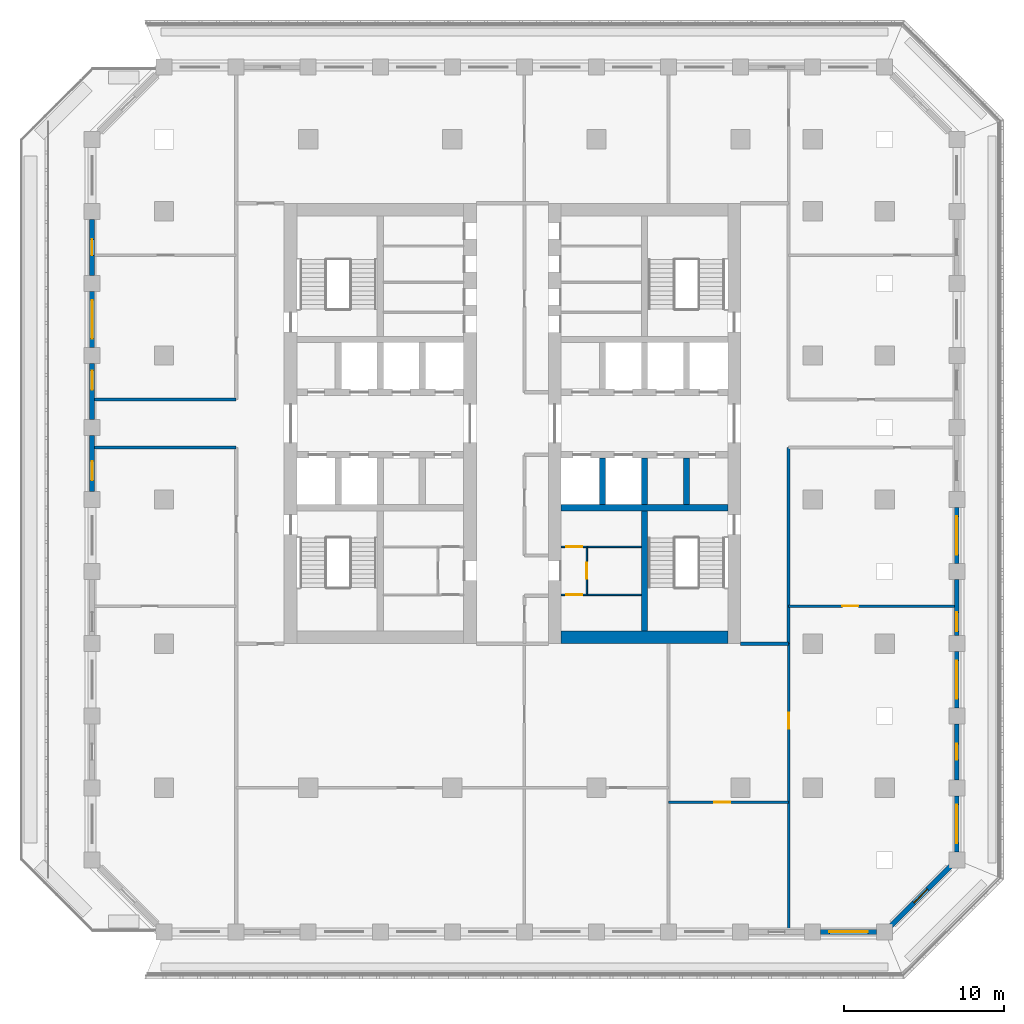
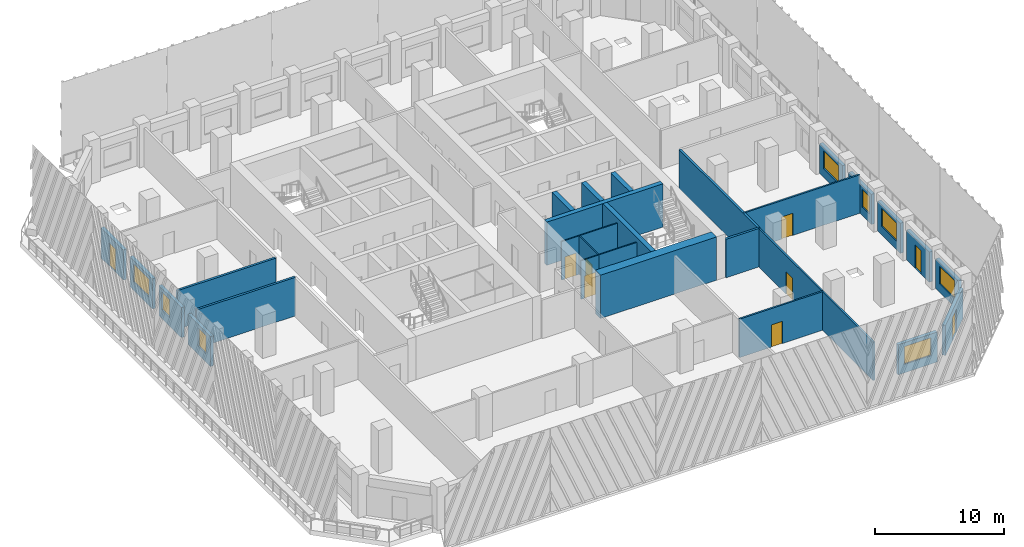
# One storey, part 4 of 16: 29 walls, 9 doors, 8 windows, 17 openings.
"""IFC4 building model written with IfcOpenShell, lengths in metres."""

from ifc_helpers import new_model, si_unit, direction, frame, frame_2d, origin, place, context, subcontext, project, spatial, rectangle, extrude, material, layer, layer_set, type_object, element, fill, save


model = new_model("IFC4")

# Units and contexts
model_context = context("Model", 3, precision=1e-05, world=origin(), true_north=direction((0.0, 1.0)))
body_context = subcontext(model_context, "Body", "Model", "MODEL_VIEW")
ifc_project = project(units=[si_unit("LENGTHUNIT", "METRE"), si_unit("AREAUNIT", "SQUARE_METRE"), si_unit("VOLUMEUNIT", "CUBIC_METRE"), si_unit("PLANEANGLEUNIT", "RADIAN"), si_unit("MASSUNIT", "GRAM", prefix="KILO")], contexts=[model_context])

# Site, building, storey
site_placement = place(None, origin())
site = spatial("IfcSite", under=ifc_project, at=site_placement, CompositionType="ELEMENT")
building_placement = place(site_placement, origin())
building = spatial("IfcBuilding", under=site, at=building_placement, Name="Corbel Stack Research Tower", CompositionType="ELEMENT")
storey_placement = place(building_placement, frame((0.0, 0.0, 191.5)))
storey = spatial("IfcBuildingStorey", under=building, at=storey_placement, Name="L43", CompositionType="ELEMENT", Elevation=191.5)

# Walls
ifc_material_1 = material(Name="Concrete C60/75", Category="concrete")
ifc_layer_1 = layer(ifc_material_1, 0.39990234375)
ifc_layer_set_1 = layer_set([ifc_layer_1], Name="Concrete C60/75")
wall_type_1 = type_object("IfcWallType", Name="CW-400-60", PredefinedType="SHEAR", material=ifc_layer_set_1)
wall_1_placement = place(storey_placement, frame((6.800048828125, -0.5, 0.0), z_axis=(0.0, 0.0, 1.0), x_axis=(1.0, 0.0, 0.0)))
element("IfcWall", 1, at=wall_1_placement, inside=storey, type_object=wall_type_1, Name="East core wall, south row back L43", PredefinedType="SHEAR", context=body_context, shape_type="SweptSolid", body=[
    extrude(rectangle(XDim=10.39990234375, YDim=0.39990234375, at=frame_2d((5.199951171875, 0.0))), origin(), (0.0, 0.0, 1.0), 4.10009765625),
])
for number, where, z_axis, x_axis, name in (
    (2, (9.375, -0.300048828125, 0.0), (0.0, 0.0, 1.0), (0.0, 1.0, 0.0), "East core wall, south shaft 1 L43"),
    (3, (12.0, -0.300048828125, 0.0), (0.0, 0.0, 1.0), (0.0, 1.0, 0.0), "East core wall, south shaft 2 L43"),
    (4, (14.625, -0.300048828125, 0.0), (0.0, 0.0, 1.0), (0.0, 1.0, 0.0), "East core wall, south shaft 3 L43"),
):
    element("IfcWall", number, at=place(storey_placement, frame(where, z_axis=z_axis, x_axis=x_axis)), inside=storey, type_object=wall_type_1, Name=name, PredefinedType="SHEAR", context=body_context, shape_type="SweptSolid", body=[
        extrude(rectangle(XDim=2.900146484375, YDim=0.39990234375, at=frame_2d((1.4501953125, 0.0))), origin(), (0.0, 0.0, 1.0), 4.10009765625),
    ])
wall_2_placement = place(storey_placement, frame((12.0, -8.199951171875, 0.0), z_axis=(0.0, 0.0, 1.0), x_axis=(0.0, 1.0, 0.0)))
element("IfcWall", 5, at=wall_2_placement, inside=storey, type_object=wall_type_1, Name="East core wall, south stair and WC L43", PredefinedType="SHEAR", context=body_context, shape_type="SweptSolid", body=[
    extrude(rectangle(XDim=7.5, YDim=0.39990234375, at=frame_2d((3.75, 0.0))), origin(), (0.0, 0.0, 1.0), 4.10009765625),
])
ifc_material_2 = material(Name="Concrete C60/75", Category="concrete")
ifc_layer_2 = layer(ifc_material_2, 0.800048828125)
ifc_layer_set_2 = layer_set([ifc_layer_2], Name="Concrete C60/75")
wall_type_2 = type_object("IfcWallType", Name="CW-800-60", PredefinedType="SHEAR", material=ifc_layer_set_2)
wall_3_placement = place(storey_placement, frame((6.800048828125, -8.60009765625, 0.0), z_axis=(0.0, 0.0, 1.0), x_axis=(1.0, 0.0, 0.0)))
element("IfcWall", 6, at=wall_3_placement, inside=storey, type_object=wall_type_2, Name="East core wall, south end L43", PredefinedType="SHEAR", context=body_context, shape_type="SweptSolid", body=[
    extrude(rectangle(XDim=10.39990234375, YDim=0.800048828125, at=frame_2d((5.199951171875, 0.0))), origin(), (0.0, 0.0, 1.0), 4.10009765625),
])

# Wall, opening, door
ifc_material_3 = material(Name="Gypsum board")
ifc_layer_3 = layer(ifc_material_3, 0.10009765625)
ifc_layer_set_3 = layer_set([ifc_layer_3], Name="Gypsum board")
wall_type_3 = type_object("IfcWallType", Name="Core partition 100", PredefinedType="PARTITIONING", material=ifc_layer_set_3)
wall_4_placement = place(storey_placement, frame((6.800048828125, -5.949951171875, 0.0), z_axis=(0.0, 0.0, 1.0), x_axis=(1.0, 0.0, 0.0)))
wall_4 = element("IfcWall", 7, at=wall_4_placement, inside=storey, type_object=wall_type_3, Name="Core partition E", PredefinedType="PARTITIONING", context=body_context, shape_type="SweptSolid", body=[
    extrude(rectangle(XDim=1.599853515625, YDim=0.10009765625, at=frame_2d((0.7998046875, 0.0))), origin(), (0.0, 0.0, 1.0), 3.64990234375),
])
opening_1_placement = place(wall_4_placement, frame((0.300048828125, 0.0, 0.0)))
opening_1 = element("IfcOpeningElement", 8, at=opening_1_placement, cuts=wall_4, Name="Opening CR-E36-W2-1000", PredefinedType="OPENING", context=body_context, shape_type="SweptSolid", body=[
    extrude(rectangle(XDim=1.0, YDim=2.10009765625, at=frame_2d((0.5, 1.050048828125))), frame((0.0, 0.06005859375, 0.0), z_axis=(0.0, -1.0, 0.0), x_axis=(1.0, 0.0, 0.0)), (0.0, 0.0, 1.0), 0.1201171875),
])
ifc_material_4 = material(Name="Painted timber door", Category="wood")
door_type_1 = type_object("IfcDoorType", Name="WC door 1000 x 2100 left hand", OperationType="SINGLE_SWING_LEFT", PredefinedType="DOOR", material=ifc_material_4)
door_1_placement = place(opening_1_placement, origin())
door_1 = element("IfcDoor", 9, at=door_1_placement, inside=storey, type_object=door_type_1, Name="Men's WC door E core", OperationType="SINGLE_SWING_LEFT", OverallHeight=2.10009765625, OverallWidth=1.0, PredefinedType="DOOR", context=body_context, shape_type="SweptSolid", body=[
    extrude(rectangle(XDim=1.0, YDim=2.10009765625, at=frame_2d((0.5, 1.050048828125))), frame((0.0, 0.02490234375, 0.0), z_axis=(0.0, -1.0, 0.0), x_axis=(1.0, 0.0, 0.0)), (0.0, 0.0, 1.0), 0.050048828125),
])
fill(opening_1, door_1)

wall_5_placement = place(storey_placement, frame((6.800048828125, -2.949951171875, 0.0), z_axis=(0.0, 0.0, 1.0), x_axis=(1.0, 0.0, 0.0)))
wall_5 = element("IfcWall", 10, at=wall_5_placement, inside=storey, type_object=wall_type_3, Name="Core partition E", PredefinedType="PARTITIONING", context=body_context, shape_type="SweptSolid", body=[
    extrude(rectangle(XDim=1.599853515625, YDim=0.10009765625, at=frame_2d((0.7998046875, 0.0))), origin(), (0.0, 0.0, 1.0), 3.64990234375),
])
opening_2_placement = place(wall_5_placement, frame((0.300048828125, 0.0, 0.0)))
opening_2 = element("IfcOpeningElement", 11, at=opening_2_placement, cuts=wall_5, Name="Opening CR-E36-W3-1000", PredefinedType="OPENING", context=body_context, shape_type="SweptSolid", body=[
    extrude(rectangle(XDim=1.0, YDim=2.10009765625, at=frame_2d((0.5, 1.050048828125))), frame((0.0, 0.06005859375, 0.0), z_axis=(0.0, -1.0, 0.0), x_axis=(1.0, 0.0, 0.0)), (0.0, 0.0, 1.0), 0.1201171875),
])
ifc_material_5 = material(Name="Painted timber door", Category="wood")
door_type_2 = type_object("IfcDoorType", Name="WC door 1000 x 2100 right hand", OperationType="SINGLE_SWING_RIGHT", PredefinedType="DOOR", material=ifc_material_5)
door_2_placement = place(opening_2_placement, origin())
door_2 = element("IfcDoor", 12, at=door_2_placement, inside=storey, type_object=door_type_2, Name="Women's WC door E core", OperationType="SINGLE_SWING_RIGHT", OverallHeight=2.10009765625, OverallWidth=1.0, PredefinedType="DOOR", context=body_context, shape_type="SweptSolid", body=[
    extrude(rectangle(XDim=1.0, YDim=2.10009765625, at=frame_2d((0.5, 1.050048828125))), frame((0.0, 0.02490234375, 0.0), z_axis=(0.0, -1.0, 0.0), x_axis=(1.0, 0.0, 0.0)), (0.0, 0.0, 1.0), 0.050048828125),
])
fill(opening_2, door_2)

wall_6_placement = place(storey_placement, frame((8.39990234375, -5.949951171875, 0.0), z_axis=(0.0, 0.0, 1.0), x_axis=(0.0, 1.0, 0.0)))
wall_6 = element("IfcWall", 13, at=wall_6_placement, inside=storey, type_object=wall_type_3, Name="Core partition E", PredefinedType="PARTITIONING", context=body_context, shape_type="SweptSolid", body=[
    extrude(rectangle(XDim=3.0, YDim=0.10009765625, at=frame_2d((1.5, 0.0))), origin(), (0.0, 0.0, 1.0), 3.64990234375),
])
opening_3_placement = place(wall_6_placement, frame((1.0, 0.0, 0.0)))
opening_3 = element("IfcOpeningElement", 14, at=opening_3_placement, cuts=wall_6, Name="Opening CR-E36-W4-1000", PredefinedType="OPENING", context=body_context, shape_type="SweptSolid", body=[
    extrude(rectangle(XDim=1.0, YDim=2.10009765625, at=frame_2d((0.5, 1.050048828125))), frame((0.0, 0.06005859375, 0.0), z_axis=(0.0, -1.0, 0.0), x_axis=(1.0, 0.0, 0.0)), (0.0, 0.0, 1.0), 0.1201171875),
])
door_3_placement = place(opening_3_placement, origin())
door_3 = element("IfcDoor", 15, at=door_3_placement, inside=storey, type_object=door_type_1, Name="Accessible WC door E core", OperationType="SINGLE_SWING_LEFT", OverallHeight=2.10009765625, OverallWidth=1.0, PredefinedType="DOOR", context=body_context, shape_type="SweptSolid", body=[
    extrude(rectangle(XDim=1.0, YDim=2.10009765625, at=frame_2d((0.5, 1.050048828125))), frame((0.0, 0.02490234375, 0.0), z_axis=(0.0, -1.0, 0.0), x_axis=(1.0, 0.0, 0.0)), (0.0, 0.0, 1.0), 0.050048828125),
])
fill(opening_3, door_3)

# Walls
for number, where, z_axis, x_axis, name in (
    (16, (8.39990234375, -5.949951171875, 0.0), (0.0, 0.0, 1.0), (1.0, 0.0, 0.0), "Core partition E"),
    (17, (8.39990234375, -2.949951171875, 0.0), (0.0, 0.0, 1.0), (1.0, 0.0, 0.0), "Core partition E"),
):
    element("IfcWall", number, at=place(storey_placement, frame(where, z_axis=z_axis, x_axis=x_axis)), inside=storey, type_object=wall_type_3, Name=name, PredefinedType="PARTITIONING", context=body_context, shape_type="SweptSolid", body=[
        extrude(rectangle(XDim=3.400146484375, YDim=0.10009765625, at=frame_2d((1.7001953125, 0.0))), origin(), (0.0, 0.0, 1.0), 3.64990234375),
    ])

# Wall, opening, door
ifc_material_6 = material(Name="Fire-rated gypsum board partition on steel studs", Category="steel")
ifc_layer_4 = layer(ifc_material_6, 0.14990234375)
ifc_layer_set_4 = layer_set([ifc_layer_4], Name="Fire-rated gypsum board partition on steel studs")
wall_type_4 = type_object("IfcWallType", Name="Fire-rated partition 150 EI 60", PredefinedType="PARTITIONING", material=ifc_layer_set_4)
wall_7_placement = place(storey_placement, frame((21.0, -26.85009765625, 0.0), z_axis=(0.0, 0.0, 1.0), x_axis=(0.0, 1.0, 0.0)))
wall_7 = element("IfcWall", 18, at=wall_7_placement, inside=storey, type_object=wall_type_4, Name="Partition L43-010", PredefinedType="PARTITIONING", context=body_context, shape_type="SweptSolid", body=[
    extrude(rectangle(XDim=17.85009765625, YDim=0.14990234375, at=frame_2d((8.925048828125, 0.0))), origin(), (0.0, 0.0, 1.0), 3.64990234375),
])
opening_4_placement = place(wall_7_placement, frame((12.550048828125, 0.0, 0.0)))
opening_4 = element("IfcOpeningElement", 19, at=opening_4_placement, cuts=wall_7, Name="Opening B6V0H-019", PredefinedType="OPENING", context=body_context, shape_type="SweptSolid", body=[
    extrude(rectangle(XDim=1.0, YDim=2.10009765625, at=frame_2d((0.5, 1.050048828125))), frame((0.0, 0.0849609375, 0.0), z_axis=(0.0, -1.0, 0.0), x_axis=(1.0, 0.0, 0.0)), (0.0, 0.0, 1.0), 0.169921875),
])
ifc_material_7 = material(Name="Painted steel fire door", Category="steel")
door_type_3 = type_object("IfcDoorType", Name="Fire door FD30S 1000 x 2100", OperationType="NOTDEFINED", PredefinedType="DOOR", material=ifc_material_7)
door_4_placement = place(opening_4_placement, origin())
door_4 = element("IfcDoor", 20, at=door_4_placement, inside=storey, type_object=door_type_3, Name="Door B6V0H-019", OperationType="SINGLE_SWING_RIGHT", OverallHeight=2.10009765625, OverallWidth=1.0, PredefinedType="DOOR", context=body_context, shape_type="SweptSolid", body=[
    extrude(rectangle(XDim=1.0, YDim=2.10009765625, at=frame_2d((0.5, 1.050048828125))), frame((0.0, 0.02490234375, 0.0), z_axis=(0.0, -1.0, 0.0), x_axis=(1.0, 0.0, 0.0)), (0.0, 0.0, 1.0), 0.050048828125),
])
fill(opening_4, door_4)

# Walls
ifc_material_8 = material(Name="Fire-rated gypsum board partition on steel studs", Category="steel")
ifc_layer_5 = layer(ifc_material_8, 0.199951171875)
ifc_layer_set_5 = layer_set([ifc_layer_5], Name="Fire-rated gypsum board partition on steel studs")
wall_type_5 = type_object("IfcWallType", Name="Fire-rated partition 200 EI 60", PredefinedType="PARTITIONING", material=ifc_layer_set_5)
wall_8_placement = place(storey_placement, frame((21.0, -9.0, 0.0), z_axis=(0.0, 0.0, 1.0), x_axis=(0.0, 1.0, 0.0)))
element("IfcWall", 21, at=wall_8_placement, inside=storey, type_object=wall_type_5, Name="Partition L43-012", PredefinedType="PARTITIONING", context=body_context, shape_type="SweptSolid", body=[
    extrude(rectangle(XDim=12.25, YDim=0.199951171875, at=frame_2d((6.125, 0.0))), origin(), (0.0, 0.0, 1.0), 3.64990234375),
])
wall_9_placement = place(storey_placement, frame((18.0, -9.0, 0.0), z_axis=(0.0, 0.0, 1.0), x_axis=(1.0, 0.0, 0.0)))
element("IfcWall", 22, at=wall_9_placement, inside=storey, type_object=wall_type_5, Name="Partition L43-021", PredefinedType="PARTITIONING", context=body_context, shape_type="SweptSolid", body=[
    extrude(rectangle(XDim=3.0, YDim=0.199951171875, at=frame_2d((1.5, 0.0))), origin(), (0.0, 0.0, 1.0), 3.64990234375),
])
for number, where, z_axis, x_axis, name in (
    (23, (-22.35009765625, 3.25, 0.0), (0.0, 0.0, 1.0), (1.0, 0.0, 0.0), "Partition L43-027"),
    (24, (-22.35009765625, 6.25, 0.0), (0.0, 0.0, 1.0), (1.0, 0.0, 0.0), "Partition L43-029"),
):
    element("IfcWall", number, at=place(storey_placement, frame(where, z_axis=z_axis, x_axis=x_axis)), inside=storey, type_object=wall_type_5, Name=name, PredefinedType="PARTITIONING", context=body_context, shape_type="SweptSolid", body=[
        extrude(rectangle(XDim=8.85009765625, YDim=0.199951171875, at=frame_2d((4.425048828125, 0.0))), origin(), (0.0, 0.0, 1.0), 3.64990234375),
    ])

# Wall, opening, door
ifc_material_9 = material(Name="Gypsum board partition on steel studs", Category="steel")
ifc_layer_6 = layer(ifc_material_9, 0.14990234375)
ifc_layer_set_6 = layer_set([ifc_layer_6], Name="Gypsum board partition on steel studs")
wall_type_6 = type_object("IfcWallType", Name="Partition 150", PredefinedType="PARTITIONING", material=ifc_layer_set_6)
wall_10_placement = place(storey_placement, frame((21.0, -18.89990234375, 0.0), z_axis=(0.0, 0.0, 1.0), x_axis=(-1.0, 0.0, 0.0)))
wall_10 = element("IfcWall", 25, at=wall_10_placement, inside=storey, type_object=wall_type_6, Name="Partition L43-014", PredefinedType="PARTITIONING", context=body_context, shape_type="SweptSolid", body=[
    extrude(rectangle(XDim=7.5, YDim=0.14990234375, at=frame_2d((3.75, 0.0))), origin(), (0.0, 0.0, 1.0), 3.64990234375),
])
opening_5_placement = place(wall_10_placement, frame((3.64990234375, 0.0, 0.0)))
opening_5 = element("IfcOpeningElement", 26, at=opening_5_placement, cuts=wall_10, Name="Opening B6V0H-001", PredefinedType="OPENING", context=body_context, shape_type="SweptSolid", body=[
    extrude(rectangle(XDim=1.0, YDim=2.10009765625, at=frame_2d((0.5, 1.050048828125))), frame((0.0, 0.0849609375, 0.0), z_axis=(0.0, -1.0, 0.0), x_axis=(1.0, 0.0, 0.0)), (0.0, 0.0, 1.0), 0.169921875),
])
ifc_material_10 = material(Name="Painted timber door", Category="wood")
door_type_4 = type_object("IfcDoorType", Name="Single door 1000 x 2100", OperationType="NOTDEFINED", PredefinedType="DOOR", material=ifc_material_10)
door_5_placement = place(opening_5_placement, origin())
door_5 = element("IfcDoor", 27, at=door_5_placement, inside=storey, type_object=door_type_4, Name="Door B6V0H-001", OperationType="SINGLE_SWING_RIGHT", OverallHeight=2.10009765625, OverallWidth=1.0, PredefinedType="DOOR", context=body_context, shape_type="SweptSolid", body=[
    extrude(rectangle(XDim=1.0, YDim=2.10009765625, at=frame_2d((0.5, 1.050048828125))), frame((0.0, 0.02490234375, 0.0), z_axis=(0.0, -1.0, 0.0), x_axis=(1.0, 0.0, 0.0)), (0.0, 0.0, 1.0), 0.050048828125),
])
fill(opening_5, door_5)

wall_11_placement = place(storey_placement, frame((31.35009765625, -6.64990234375, 0.0), z_axis=(0.0, 0.0, 1.0), x_axis=(-1.0, 0.0, 0.0)))
wall_11 = element("IfcWall", 28, at=wall_11_placement, inside=storey, type_object=wall_type_6, Name="Partition L43-023", PredefinedType="PARTITIONING", context=body_context, shape_type="SweptSolid", body=[
    extrude(rectangle(XDim=10.35009765625, YDim=0.14990234375, at=frame_2d((5.175048828125, 0.0))), origin(), (0.0, 0.0, 1.0), 3.64990234375),
])
opening_6_placement = place(wall_11_placement, frame((6.0, 0.0, 0.0)))
opening_6 = element("IfcOpeningElement", 29, at=opening_6_placement, cuts=wall_11, Name="Opening B6V0H-008", PredefinedType="OPENING", context=body_context, shape_type="SweptSolid", body=[
    extrude(rectangle(XDim=1.0, YDim=2.10009765625, at=frame_2d((0.5, 1.050048828125))), frame((0.0, 0.0849609375, 0.0), z_axis=(0.0, -1.0, 0.0), x_axis=(1.0, 0.0, 0.0)), (0.0, 0.0, 1.0), 0.169921875),
])
door_6_placement = place(opening_6_placement, origin())
door_6 = element("IfcDoor", 30, at=door_6_placement, inside=storey, type_object=door_type_4, Name="Door B6V0H-008", OperationType="SINGLE_SWING_RIGHT", OverallHeight=2.10009765625, OverallWidth=1.0, PredefinedType="DOOR", context=body_context, shape_type="SweptSolid", body=[
    extrude(rectangle(XDim=1.0, YDim=2.10009765625, at=frame_2d((0.5, 1.050048828125))), frame((0.0, 0.02490234375, 0.0), z_axis=(0.0, -1.0, 0.0), x_axis=(1.0, 0.0, 0.0)), (0.0, 0.0, 1.0), 0.050048828125),
])
fill(opening_6, door_6)

# Wall, opening, window
ifc_material_11 = material(Name="Concrete C45/55", Category="concrete")
ifc_layer_7 = layer(ifc_material_11, 0.300048828125)
ifc_layer_set_7 = layer_set([ifc_layer_7], Name="Concrete C45/55")
wall_type_7 = type_object("IfcWallType", Name="Terracotta-faced concrete wall 300", PredefinedType="SOLIDWALL", material=ifc_layer_set_7)
wall_12_placement = place(storey_placement, frame((26.5, -27.0, 0.0), z_axis=(0.0, 0.0, 1.0), x_axis=(-1.0, 0.0, 0.0)))
wall_12 = element("IfcWall", 31, at=wall_12_placement, inside=storey, type_object=wall_type_7, Name="Facade wall L43 S10", PredefinedType="SOLIDWALL", context=body_context, shape_type="SweptSolid", body=[
    extrude(rectangle(XDim=3.5, YDim=0.300048828125, at=frame_2d((1.75, 0.0))), origin(), (0.0, 0.0, 1.0), 2.85009765625),
])
opening_7_placement = place(wall_12_placement, frame((0.550048828125, 0.0, 0.800048828125)))
opening_7 = element("IfcOpeningElement", 32, at=opening_7_placement, cuts=wall_12, Name="Opening W1", PredefinedType="OPENING", context=body_context, shape_type="SweptSolid", body=[
    extrude(rectangle(XDim=2.39990234375, YDim=1.699951171875, at=frame_2d((1.199951171875, 0.85009765625))), frame((0.0, 0.159912109375, 0.0), z_axis=(0.0, -1.0, 0.0), x_axis=(1.0, 0.0, 0.0)), (0.0, 0.0, 1.0), 0.320068359375),
])
ifc_material_12 = material(Name="Aluminium frame, clear double glazing", Category="aluminium")
window_type_1 = type_object("IfcWindowType", Name="Window W1 2400 x 1700", PartitioningType="SINGLE_PANEL", PredefinedType="WINDOW", material=ifc_material_12)
window_1_placement = place(opening_7_placement, origin())
window_1 = element("IfcWindow", 33, at=window_1_placement, inside=storey, type_object=window_type_1, Name="Window W1 L43 S10", OverallHeight=1.699951171875, OverallWidth=2.39990234375, PartitioningType="SINGLE_PANEL", PredefinedType="WINDOW", context=body_context, shape_type="SweptSolid", body=[
    extrude(rectangle(XDim=2.39990234375, YDim=1.699951171875, at=frame_2d((1.199951171875, 0.85009765625))), frame((0.0, 0.030029296875, 0.0), z_axis=(0.0, -1.0, 0.0), x_axis=(1.0, 0.0, 0.0)), (0.0, 0.0, 1.0), 0.06005859375),
])
fill(opening_7, window_1)

# Wall, opening, door
wall_13_placement = place(storey_placement, frame((31.106201171875, -22.893798828125, 0.0), z_axis=(0.0, 0.0, 1.0), x_axis=(-0.707106781187, -0.707106781187, 0.0)))
wall_13 = element("IfcWall", 34, at=wall_13_placement, inside=storey, type_object=wall_type_7, Name="Facade wall L43 SE01", PredefinedType="SOLIDWALL", context=body_context, shape_type="SweptSolid", body=[
    extrude(rectangle(XDim=5.250244140625, YDim=0.300048828125, at=frame_2d((2.625, 0.0))), origin(), (0.0, 0.0, 1.0), 2.85009765625),
])
opening_8_placement = place(wall_13_placement, frame((2.02490234375, 0.0, 0.0)))
opening_8 = element("IfcOpeningElement", 35, at=opening_8_placement, cuts=wall_13, Name="Opening L43-B03", PredefinedType="OPENING", context=body_context, shape_type="SweptSolid", body=[
    extrude(rectangle(XDim=1.199951171875, YDim=2.199951171875, at=frame_2d((0.60009765625, 1.10009765625))), frame((0.0, 0.159912109375, 0.0), z_axis=(0.0, -1.0, 0.0), x_axis=(1.0, 0.0, 0.0)), (0.0, 0.0, 1.0), 0.320068359375),
])
ifc_material_13 = material(Name="Aluminium frame, clear double glazing", Category="aluminium")
door_type_5 = type_object("IfcDoorType", Name="Balcony door BD2 1200 x 2200", OperationType="NOTDEFINED", PredefinedType="DOOR", material=ifc_material_13)
door_7_placement = place(opening_8_placement, origin())
door_7 = element("IfcDoor", 36, at=door_7_placement, inside=storey, type_object=door_type_5, Name="Balcony door L43-B03", OperationType="SINGLE_SWING_RIGHT", OverallHeight=2.199951171875, OverallWidth=1.199951171875, PredefinedType="DOOR", context=body_context, shape_type="SweptSolid", body=[
    extrude(rectangle(XDim=1.199951171875, YDim=2.199951171875, at=frame_2d((0.60009765625, 1.10009765625))), frame((0.0, 0.02490234375, 0.0), z_axis=(0.0, -1.0, 0.0), x_axis=(1.0, 0.0, 0.0)), (0.0, 0.0, 1.0), 0.050048828125),
])
fill(opening_8, door_7)

# Wall, opening, window
wall_14_placement = place(storey_placement, frame((31.5, -18.5, 0.0), z_axis=(0.0, 0.0, 1.0), x_axis=(0.0, -1.0, 0.0)))
wall_14 = element("IfcWall", 37, at=wall_14_placement, inside=storey, type_object=wall_type_7, Name="Facade wall L43 E01", PredefinedType="SOLIDWALL", context=body_context, shape_type="SweptSolid", body=[
    extrude(rectangle(XDim=3.5, YDim=0.300048828125, at=frame_2d((1.75, 0.0))), origin(), (0.0, 0.0, 1.0), 2.85009765625),
])
opening_9_placement = place(wall_14_placement, frame((0.550048828125, 0.0, 0.800048828125)))
opening_9 = element("IfcOpeningElement", 38, at=opening_9_placement, cuts=wall_14, Name="Opening W1", PredefinedType="OPENING", context=body_context, shape_type="SweptSolid", body=[
    extrude(rectangle(XDim=2.39990234375, YDim=1.699951171875, at=frame_2d((1.199951171875, 0.85009765625))), frame((0.0, 0.159912109375, 0.0), z_axis=(0.0, -1.0, 0.0), x_axis=(1.0, 0.0, 0.0)), (0.0, 0.0, 1.0), 0.320068359375),
])
window_2_placement = place(opening_9_placement, origin())
window_2 = element("IfcWindow", 39, at=window_2_placement, inside=storey, type_object=window_type_1, Name="Window W1 L43 E01", OverallHeight=1.699951171875, OverallWidth=2.39990234375, PartitioningType="SINGLE_PANEL", PredefinedType="WINDOW", context=body_context, shape_type="SweptSolid", body=[
    extrude(rectangle(XDim=2.39990234375, YDim=1.699951171875, at=frame_2d((1.199951171875, 0.85009765625))), frame((0.0, 0.030029296875, 0.0), z_axis=(0.0, -1.0, 0.0), x_axis=(1.0, 0.0, 0.0)), (0.0, 0.0, 1.0), 0.06005859375),
])
fill(opening_9, window_2)

# Wall, opening, door
wall_15_placement = place(storey_placement, frame((31.5, -14.0, 0.0), z_axis=(0.0, 0.0, 1.0), x_axis=(0.0, -1.0, 0.0)))
wall_15 = element("IfcWall", 40, at=wall_15_placement, inside=storey, type_object=wall_type_7, Name="Facade wall L43 E02", PredefinedType="SOLIDWALL", context=body_context, shape_type="SweptSolid", body=[
    extrude(rectangle(XDim=3.5, YDim=0.300048828125, at=frame_2d((1.75, 0.0))), origin(), (0.0, 0.0, 1.0), 2.85009765625),
])
opening_10_placement = place(wall_15_placement, frame((1.25, 0.0, 0.0)))
opening_10 = element("IfcOpeningElement", 41, at=opening_10_placement, cuts=wall_15, Name="Opening L43-B04", PredefinedType="OPENING", context=body_context, shape_type="SweptSolid", body=[
    extrude(rectangle(XDim=1.0, YDim=2.199951171875, at=frame_2d((0.5, 1.10009765625))), frame((0.0, 0.159912109375, 0.0), z_axis=(0.0, -1.0, 0.0), x_axis=(1.0, 0.0, 0.0)), (0.0, 0.0, 1.0), 0.320068359375),
])
ifc_material_14 = material(Name="Aluminium frame, clear double glazing", Category="aluminium")
door_type_6 = type_object("IfcDoorType", Name="Balcony door BD1 1000 x 2200", OperationType="NOTDEFINED", PredefinedType="DOOR", material=ifc_material_14)
door_8_placement = place(opening_10_placement, origin())
door_8 = element("IfcDoor", 42, at=door_8_placement, inside=storey, type_object=door_type_6, Name="Balcony door L43-B04", OperationType="SINGLE_SWING_LEFT", OverallHeight=2.199951171875, OverallWidth=1.0, PredefinedType="DOOR", context=body_context, shape_type="SweptSolid", body=[
    extrude(rectangle(XDim=1.0, YDim=2.199951171875, at=frame_2d((0.5, 1.10009765625))), frame((0.0, 0.02490234375, 0.0), z_axis=(0.0, -1.0, 0.0), x_axis=(1.0, 0.0, 0.0)), (0.0, 0.0, 1.0), 0.050048828125),
])
fill(opening_10, door_8)

# Wall, opening, window
wall_16_placement = place(storey_placement, frame((31.5, -9.5, 0.0), z_axis=(0.0, 0.0, 1.0), x_axis=(0.0, -1.0, 0.0)))
wall_16 = element("IfcWall", 43, at=wall_16_placement, inside=storey, type_object=wall_type_7, Name="Facade wall L43 E03", PredefinedType="SOLIDWALL", context=body_context, shape_type="SweptSolid", body=[
    extrude(rectangle(XDim=3.5, YDim=0.300048828125, at=frame_2d((1.75, 0.0))), origin(), (0.0, 0.0, 1.0), 2.85009765625),
])
opening_11_placement = place(wall_16_placement, frame((0.550048828125, 0.0, 0.800048828125)))
opening_11 = element("IfcOpeningElement", 44, at=opening_11_placement, cuts=wall_16, Name="Opening W1", PredefinedType="OPENING", context=body_context, shape_type="SweptSolid", body=[
    extrude(rectangle(XDim=2.39990234375, YDim=1.699951171875, at=frame_2d((1.199951171875, 0.85009765625))), frame((0.0, 0.159912109375, 0.0), z_axis=(0.0, -1.0, 0.0), x_axis=(1.0, 0.0, 0.0)), (0.0, 0.0, 1.0), 0.320068359375),
])
window_3_placement = place(opening_11_placement, origin())
window_3 = element("IfcWindow", 45, at=window_3_placement, inside=storey, type_object=window_type_1, Name="Window W1 L43 E03", OverallHeight=1.699951171875, OverallWidth=2.39990234375, PartitioningType="SINGLE_PANEL", PredefinedType="WINDOW", context=body_context, shape_type="SweptSolid", body=[
    extrude(rectangle(XDim=2.39990234375, YDim=1.699951171875, at=frame_2d((1.199951171875, 0.85009765625))), frame((0.0, 0.030029296875, 0.0), z_axis=(0.0, -1.0, 0.0), x_axis=(1.0, 0.0, 0.0)), (0.0, 0.0, 1.0), 0.06005859375),
])
fill(opening_11, window_3)

wall_17_placement = place(storey_placement, frame((31.5, -5.0, 0.0), z_axis=(0.0, 0.0, 1.0), x_axis=(0.0, -1.0, 0.0)))
wall_17 = element("IfcWall", 46, at=wall_17_placement, inside=storey, type_object=wall_type_7, Name="Facade wall L43 E04", PredefinedType="SOLIDWALL", context=body_context, shape_type="SweptSolid", body=[
    extrude(rectangle(XDim=3.5, YDim=0.300048828125, at=frame_2d((1.75, 0.0))), origin(), (0.0, 0.0, 1.0), 2.85009765625),
])
opening_12_placement = place(wall_17_placement, frame((2.03759765625, 0.0, 0.800048828125)))
opening_12 = element("IfcOpeningElement", 47, at=opening_12_placement, cuts=wall_17, Name="Opening W2", PredefinedType="OPENING", context=body_context, shape_type="SweptSolid", body=[
    extrude(rectangle(XDim=1.199951171875, YDim=1.699951171875, at=frame_2d((0.60009765625, 0.85009765625))), frame((0.0, 0.159912109375, 0.0), z_axis=(0.0, -1.0, 0.0), x_axis=(1.0, 0.0, 0.0)), (0.0, 0.0, 1.0), 0.320068359375),
])
ifc_material_15 = material(Name="Aluminium frame, clear double glazing", Category="aluminium")
window_type_2 = type_object("IfcWindowType", Name="Window W2 1200 x 1700", PartitioningType="SINGLE_PANEL", PredefinedType="WINDOW", material=ifc_material_15)
window_4_placement = place(opening_12_placement, origin())
window_4 = element("IfcWindow", 48, at=window_4_placement, inside=storey, type_object=window_type_2, Name="Window W2 L43 E04", OverallHeight=1.699951171875, OverallWidth=1.199951171875, PartitioningType="SINGLE_PANEL", PredefinedType="WINDOW", context=body_context, shape_type="SweptSolid", body=[
    extrude(rectangle(XDim=1.199951171875, YDim=1.699951171875, at=frame_2d((0.60009765625, 0.85009765625))), frame((0.0, 0.030029296875, 0.0), z_axis=(0.0, -1.0, 0.0), x_axis=(1.0, 0.0, 0.0)), (0.0, 0.0, 1.0), 0.06005859375),
])
fill(opening_12, window_4)

wall_18_placement = place(storey_placement, frame((31.5, -0.5, 0.0), z_axis=(0.0, 0.0, 1.0), x_axis=(0.0, -1.0, 0.0)))
wall_18 = element("IfcWall", 49, at=wall_18_placement, inside=storey, type_object=wall_type_7, Name="Facade wall L43 E05", PredefinedType="SOLIDWALL", context=body_context, shape_type="SweptSolid", body=[
    extrude(rectangle(XDim=3.5, YDim=0.300048828125, at=frame_2d((1.75, 0.0))), origin(), (0.0, 0.0, 1.0), 2.85009765625),
])
opening_13_placement = place(wall_18_placement, frame((0.550048828125, 0.0, 0.800048828125)))
opening_13 = element("IfcOpeningElement", 50, at=opening_13_placement, cuts=wall_18, Name="Opening W1", PredefinedType="OPENING", context=body_context, shape_type="SweptSolid", body=[
    extrude(rectangle(XDim=2.39990234375, YDim=1.699951171875, at=frame_2d((1.199951171875, 0.85009765625))), frame((0.0, 0.159912109375, 0.0), z_axis=(0.0, -1.0, 0.0), x_axis=(1.0, 0.0, 0.0)), (0.0, 0.0, 1.0), 0.320068359375),
])
window_5_placement = place(opening_13_placement, origin())
window_5 = element("IfcWindow", 51, at=window_5_placement, inside=storey, type_object=window_type_1, Name="Window W1 L43 E05", OverallHeight=1.699951171875, OverallWidth=2.39990234375, PartitioningType="SINGLE_PANEL", PredefinedType="WINDOW", context=body_context, shape_type="SweptSolid", body=[
    extrude(rectangle(XDim=2.39990234375, YDim=1.699951171875, at=frame_2d((1.199951171875, 0.85009765625))), frame((0.0, 0.030029296875, 0.0), z_axis=(0.0, -1.0, 0.0), x_axis=(1.0, 0.0, 0.0)), (0.0, 0.0, 1.0), 0.06005859375),
])
fill(opening_13, window_5)

# Wall, opening, door
wall_19_placement = place(storey_placement, frame((-22.5, 14.0, 0.0), z_axis=(0.0, 0.0, 1.0), x_axis=(0.0, 1.0, 0.0)))
wall_19 = element("IfcWall", 52, at=wall_19_placement, inside=storey, type_object=wall_type_7, Name="Facade wall L43 W02", PredefinedType="SOLIDWALL", context=body_context, shape_type="SweptSolid", body=[
    extrude(rectangle(XDim=3.5, YDim=0.300048828125, at=frame_2d((1.75, 0.0))), origin(), (0.0, 0.0, 1.0), 2.85009765625),
])
opening_14_placement = place(wall_19_placement, frame((1.25, 0.0, 0.0)))
opening_14 = element("IfcOpeningElement", 53, at=opening_14_placement, cuts=wall_19, Name="Opening L43-B10", PredefinedType="OPENING", context=body_context, shape_type="SweptSolid", body=[
    extrude(rectangle(XDim=1.0, YDim=2.199951171875, at=frame_2d((0.5, 1.10009765625))), frame((0.0, 0.159912109375, 0.0), z_axis=(0.0, -1.0, 0.0), x_axis=(1.0, 0.0, 0.0)), (0.0, 0.0, 1.0), 0.320068359375),
])
door_9_placement = place(opening_14_placement, origin())
door_9 = element("IfcDoor", 54, at=door_9_placement, inside=storey, type_object=door_type_6, Name="Balcony door L43-B10", OperationType="SINGLE_SWING_LEFT", OverallHeight=2.199951171875, OverallWidth=1.0, PredefinedType="DOOR", context=body_context, shape_type="SweptSolid", body=[
    extrude(rectangle(XDim=1.0, YDim=2.199951171875, at=frame_2d((0.5, 1.10009765625))), frame((0.0, 0.02490234375, 0.0), z_axis=(0.0, -1.0, 0.0), x_axis=(1.0, 0.0, 0.0)), (0.0, 0.0, 1.0), 0.050048828125),
])
fill(opening_14, door_9)

# Wall, opening, window
wall_20_placement = place(storey_placement, frame((-22.5, 9.5, 0.0), z_axis=(0.0, 0.0, 1.0), x_axis=(0.0, 1.0, 0.0)))
wall_20 = element("IfcWall", 55, at=wall_20_placement, inside=storey, type_object=wall_type_7, Name="Facade wall L43 W03", PredefinedType="SOLIDWALL", context=body_context, shape_type="SweptSolid", body=[
    extrude(rectangle(XDim=3.5, YDim=0.300048828125, at=frame_2d((1.75, 0.0))), origin(), (0.0, 0.0, 1.0), 2.85009765625),
])
opening_15_placement = place(wall_20_placement, frame((0.550048828125, 0.0, 0.800048828125)))
opening_15 = element("IfcOpeningElement", 56, at=opening_15_placement, cuts=wall_20, Name="Opening W1", PredefinedType="OPENING", context=body_context, shape_type="SweptSolid", body=[
    extrude(rectangle(XDim=2.39990234375, YDim=1.699951171875, at=frame_2d((1.199951171875, 0.85009765625))), frame((0.0, 0.159912109375, 0.0), z_axis=(0.0, -1.0, 0.0), x_axis=(1.0, 0.0, 0.0)), (0.0, 0.0, 1.0), 0.320068359375),
])
window_6_placement = place(opening_15_placement, origin())
window_6 = element("IfcWindow", 57, at=window_6_placement, inside=storey, type_object=window_type_1, Name="Window W1 L43 W03", OverallHeight=1.699951171875, OverallWidth=2.39990234375, PartitioningType="SINGLE_PANEL", PredefinedType="WINDOW", context=body_context, shape_type="SweptSolid", body=[
    extrude(rectangle(XDim=2.39990234375, YDim=1.699951171875, at=frame_2d((1.199951171875, 0.85009765625))), frame((0.0, 0.030029296875, 0.0), z_axis=(0.0, -1.0, 0.0), x_axis=(1.0, 0.0, 0.0)), (0.0, 0.0, 1.0), 0.06005859375),
])
fill(opening_15, window_6)

wall_21_placement = place(storey_placement, frame((-22.5, 5.0, 0.0), z_axis=(0.0, 0.0, 1.0), x_axis=(0.0, 1.0, 0.0)))
wall_21 = element("IfcWall", 58, at=wall_21_placement, inside=storey, type_object=wall_type_7, Name="Facade wall L43 W04", PredefinedType="SOLIDWALL", context=body_context, shape_type="SweptSolid", body=[
    extrude(rectangle(XDim=3.5, YDim=0.300048828125, at=frame_2d((1.75, 0.0))), origin(), (0.0, 0.0, 1.0), 2.85009765625),
])
opening_16_placement = place(wall_21_placement, frame((1.85009765625, 0.0, 0.800048828125)))
opening_16 = element("IfcOpeningElement", 59, at=opening_16_placement, cuts=wall_21, Name="Opening W2", PredefinedType="OPENING", context=body_context, shape_type="SweptSolid", body=[
    extrude(rectangle(XDim=1.199951171875, YDim=1.699951171875, at=frame_2d((0.60009765625, 0.85009765625))), frame((0.0, 0.159912109375, 0.0), z_axis=(0.0, -1.0, 0.0), x_axis=(1.0, 0.0, 0.0)), (0.0, 0.0, 1.0), 0.320068359375),
])
window_7_placement = place(opening_16_placement, origin())
window_7 = element("IfcWindow", 60, at=window_7_placement, inside=storey, type_object=window_type_2, Name="Window W2 L43 W04", OverallHeight=1.699951171875, OverallWidth=1.199951171875, PartitioningType="SINGLE_PANEL", PredefinedType="WINDOW", context=body_context, shape_type="SweptSolid", body=[
    extrude(rectangle(XDim=1.199951171875, YDim=1.699951171875, at=frame_2d((0.60009765625, 0.85009765625))), frame((0.0, 0.030029296875, 0.0), z_axis=(0.0, -1.0, 0.0), x_axis=(1.0, 0.0, 0.0)), (0.0, 0.0, 1.0), 0.06005859375),
])
fill(opening_16, window_7)

wall_22_placement = place(storey_placement, frame((-22.5, 0.5, 0.0), z_axis=(0.0, 0.0, 1.0), x_axis=(0.0, 1.0, 0.0)))
wall_22 = element("IfcWall", 61, at=wall_22_placement, inside=storey, type_object=wall_type_7, Name="Facade wall L43 W05", PredefinedType="SOLIDWALL", context=body_context, shape_type="SweptSolid", body=[
    extrude(rectangle(XDim=3.5, YDim=0.300048828125, at=frame_2d((1.75, 0.0))), origin(), (0.0, 0.0, 1.0), 2.85009765625),
])
opening_17_placement = place(wall_22_placement, frame((0.699951171875, 0.0, 0.800048828125)))
opening_17 = element("IfcOpeningElement", 62, at=opening_17_placement, cuts=wall_22, Name="Opening W2", PredefinedType="OPENING", context=body_context, shape_type="SweptSolid", body=[
    extrude(rectangle(XDim=1.199951171875, YDim=1.699951171875, at=frame_2d((0.60009765625, 0.85009765625))), frame((0.0, 0.159912109375, 0.0), z_axis=(0.0, -1.0, 0.0), x_axis=(1.0, 0.0, 0.0)), (0.0, 0.0, 1.0), 0.320068359375),
])
window_8_placement = place(opening_17_placement, origin())
window_8 = element("IfcWindow", 63, at=window_8_placement, inside=storey, type_object=window_type_2, Name="Window W2 L43 W05", OverallHeight=1.699951171875, OverallWidth=1.199951171875, PartitioningType="SINGLE_PANEL", PredefinedType="WINDOW", context=body_context, shape_type="SweptSolid", body=[
    extrude(rectangle(XDim=1.199951171875, YDim=1.699951171875, at=frame_2d((0.60009765625, 0.85009765625))), frame((0.0, 0.030029296875, 0.0), z_axis=(0.0, -1.0, 0.0), x_axis=(1.0, 0.0, 0.0)), (0.0, 0.0, 1.0), 0.06005859375),
])
fill(opening_17, window_8)

save(model, "model.ifc")
